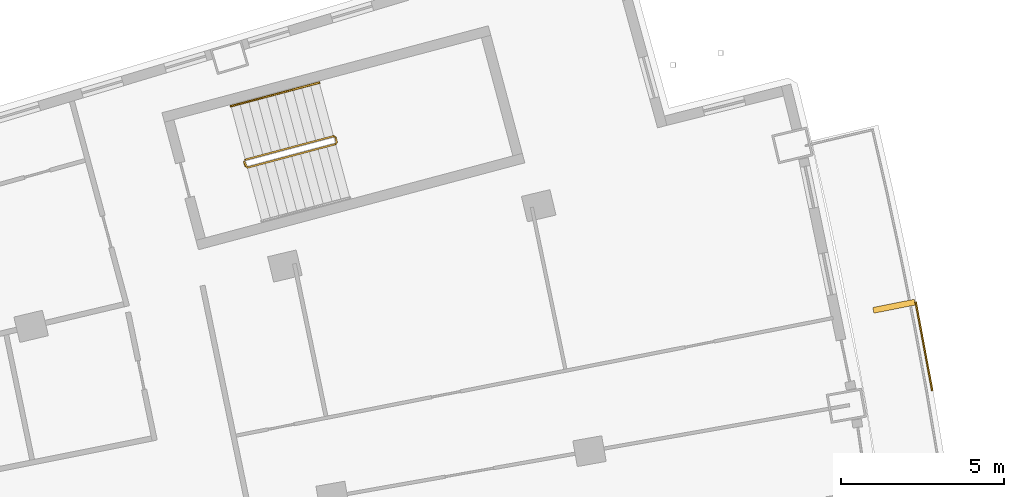
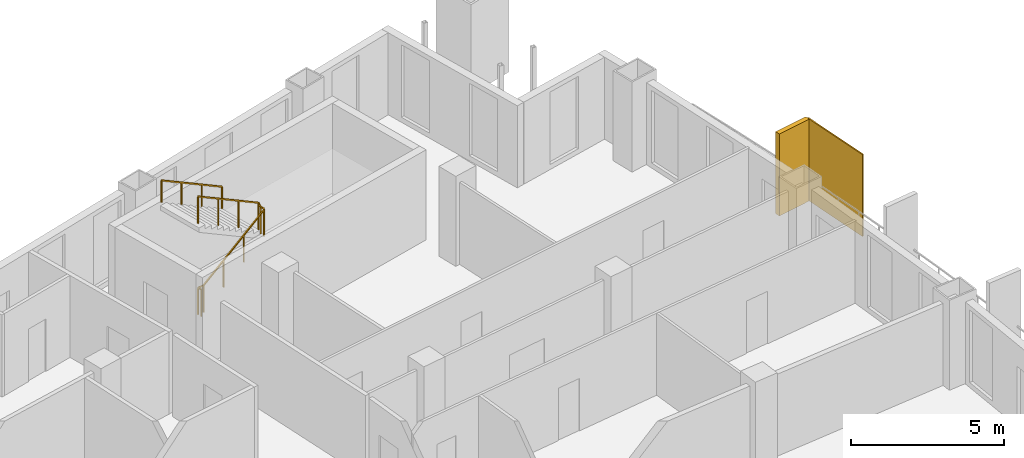
# One storey, part 20 of 20: 2 railings, 2 shading devices.
"""IFC4 building model written with IfcOpenShell, lengths in metres."""

from ifc_helpers import new_model, si_unit, direction, frame, origin, origin_2d, place, context, subcontext, project, spatial, rectangle, extrude, material, layer, layer_set, type_object, element, save


model = new_model("IFC4")

# Units and contexts
model_context = context("Model", 3, precision=1e-05, world=origin(), true_north=direction((0.0, 1.0)))
body_context = subcontext(model_context, "Body", "Model", "MODEL_VIEW")
ifc_project = project(units=[si_unit("LENGTHUNIT", "METRE"), si_unit("AREAUNIT", "SQUARE_METRE"), si_unit("VOLUMEUNIT", "CUBIC_METRE"), si_unit("PLANEANGLEUNIT", "RADIAN"), si_unit("MASSUNIT", "GRAM", prefix="KILO")], contexts=[model_context])

# Site, building, storey
site_placement = place(None, origin())
site = spatial("IfcSite", under=ifc_project, at=site_placement, CompositionType="ELEMENT")
building_placement = place(site_placement, origin())
building = spatial("IfcBuilding", under=site, at=building_placement, Name="Alderwake Tower", CompositionType="ELEMENT")
storey_placement = place(building_placement, frame((0.0, 0.0, 153.199951171875)))
storey = spatial("IfcBuildingStorey", under=building, at=storey_placement, Name="L37", CompositionType="ELEMENT", Elevation=153.199951171875)

# Shading devices
ifc_material_1 = material(Name="Bronze anodised aluminium", Category="aluminium")
ifc_layer_1 = layer(ifc_material_1, 0.179931640625)
ifc_layer_set_1 = layer_set([ifc_layer_1], Name="Facade fin 1300")
shading_device_type_1 = type_object("IfcShadingDeviceType", Name="Facade fin 1300", PredefinedType="USERDEFINED", material=ifc_layer_set_1)
shading_device_1_placement = place(storey_placement, frame((59.12890625, 88.392578125, 0.0), z_axis=(0.0, 0.0, 1.0), x_axis=(0.981163751315, 0.193177879441, 0.0)))
element("IfcShadingDevice", 1, at=shading_device_1_placement, inside=storey, type_object=shading_device_type_1, Name="Fin", ObjectType="FIN", PredefinedType="USERDEFINED", context=body_context, shape_type="SweptSolid", body=[
    extrude(rectangle(XDim=1.300048828125, YDim=0.179931640625, at=origin_2d()), origin(), (0.0, 0.0, 1.0), 3.280029296875),
])
ifc_material_2 = material(Name="Perforated bronze anodised aluminium", Category="aluminium")
ifc_layer_2 = layer(ifc_material_2, 0.050048828125)
ifc_layer_set_2 = layer_set([ifc_layer_2], Name="Perforated screen panel")
shading_device_type_2 = type_object("IfcShadingDeviceType", Name="Perforated screen panel", PredefinedType="USERDEFINED", material=ifc_layer_set_2)
shading_device_2_placement = place(storey_placement, frame((60.045166015625, 87.16455078125, 0.0), z_axis=(0.0, 0.0, 1.0), x_axis=(0.982991488043, 0.183651121519, 0.0)))
element("IfcShadingDevice", 2, at=shading_device_2_placement, inside=storey, type_object=shading_device_type_2, Name="Screen panel", ObjectType="SCREEN", PredefinedType="USERDEFINED", context=body_context, shape_type="SweptSolid", body=[
    extrude(rectangle(XDim=0.050048828125, YDim=2.763916015625, at=origin_2d()), origin(), (0.0, 0.0, 1.0), 3.280029296875),
])

# Railings
ifc_material_3 = material(Name="Stainless steel guard", Category="steel")
railing_type_1 = type_object("IfcRailingType", Name="Stair guard 1100", PredefinedType="GUARDRAIL", material=ifc_material_3)
railing_1_placement = place(storey_placement, frame((39.23291015625, 92.6806640625, 0.0)))
element("IfcRailing", 3, at=railing_1_placement, inside=storey, type_object=railing_type_1, Name="L37 ST-A stair guard 1", PredefinedType="GUARDRAIL", context=body_context, shape_type="SweptSolid", body=[
    extrude(rectangle(XDim=0.048095703125, YDim=0.048095703125, at=origin_2d()), frame((0.0, 0.0, 1.076171875), z_axis=(-0.257055032184, 0.966396766566, 0.0), x_axis=(-0.966396766566, -0.257055032184, 0.0)), (0.0, 0.0, 1.0), 0.150146484375),
    extrude(rectangle(XDim=0.048095703125, YDim=0.048095703125, at=origin_2d()), frame((-0.03857421875, 0.14501953125, 1.076171875), z_axis=(0.379370725808, -0.685464465458, 0.621463047167), x_axis=(0.874937996095, 0.484234966715, 0.0)), (0.0, 0.0, 1.0), 0.26318359375),
    extrude(rectangle(XDim=0.048095703125, YDim=0.048095703125, at=origin_2d()), frame((0.061279296875, -0.035400390625, 1.23974609375), z_axis=(0.834258940753, 0.22222815314, 0.504605457487), x_axis=(-0.257402139082, 0.966304371715, 0.0)), (0.0, 0.0, 1.0), 3.2431640625),
    extrude(rectangle(XDim=0.048095703125, YDim=0.048095703125, at=origin_2d()), frame((2.766845703125, 0.685302734375, 2.8759765625), z_axis=(0.500220121494, 0.865898279276, 0.0), x_axis=(-0.865898279276, 0.500220121494, 0.0)), (0.0, 0.0, 1.0), 0.07080078125),
    extrude(rectangle(XDim=0.048095703125, YDim=0.048095703125, at=origin_2d()), frame((2.80224609375, 0.74658203125, 2.8759765625), z_axis=(-0.257459803502, 0.966289009345, 0.0), x_axis=(-0.966289009345, -0.257459803502, 0.0)), (0.0, 0.0, 1.0), 0.14990234375),
    extrude(rectangle(XDim=0.048095703125, YDim=0.048095703125, at=origin_2d()), frame((2.763671875, 0.891357421875, 2.8759765625), z_axis=(-0.34252489212, 0.200034536998, 0.917966710881), x_axis=(-0.504300490226, -0.863528236688, 0.0)), (0.0, 0.0, 1.0), 0.17822265625),
    extrude(rectangle(XDim=0.048095703125, YDim=0.048095703125, at=origin_2d()), frame((2.70263671875, 0.927001953125, 3.03955078125), z_axis=(-0.834281824786, -0.222214197128, 0.504573768072), x_axis=(0.257380452725, -0.966310148221, 0.0)), (0.0, 0.0, 1.0), 3.2431640625),
    extrude(rectangle(XDim=0.0419921875, YDim=0.0419921875, at=origin_2d()), frame((0.0, 0.0, 0.0), z_axis=(0.0, 0.0, 1.0), x_axis=(-0.257055032184, 0.966396766566, 0.0)), (0.0, 0.0, 1.0), 1.052001953125),
    extrude(rectangle(XDim=0.0419921875, YDim=0.0419921875, at=origin_2d()), frame((-0.03857421875, 0.14501953125, 0.0), z_axis=(0.0, 0.0, 1.0), x_axis=(0.484234966715, -0.874937996095, 0.0)), (0.0, 0.0, 1.0), 1.052001953125),
    extrude(rectangle(XDim=0.0419921875, YDim=0.0419921875, at=origin_2d()), frame((0.061279296875, -0.035400390625, 0.16357421875), z_axis=(0.0, 0.0, 1.0), x_axis=(0.966304371715, 0.257402139082, 0.0)), (0.0, 0.0, 1.0), 1.052001953125),
    extrude(rectangle(XDim=0.0419921875, YDim=0.0419921875, at=origin_2d()), frame((0.963134765625, 0.204833984375, 0.708984375), z_axis=(0.0, 0.0, 1.0), x_axis=(0.966304371715, 0.257402139082, 0.0)), (0.0, 0.0, 1.0), 1.052001953125),
    extrude(rectangle(XDim=0.0419921875, YDim=0.0419921875, at=origin_2d()), frame((1.864990234375, 0.445068359375, 1.254638671875), z_axis=(0.0, 0.0, 1.0), x_axis=(0.966304371715, 0.257402139082, 0.0)), (0.0, 0.0, 1.0), 1.052001953125),
    extrude(rectangle(XDim=0.0419921875, YDim=0.0419921875, at=origin_2d()), frame((2.766845703125, 0.685302734375, 1.800048828125), z_axis=(0.0, 0.0, 1.0), x_axis=(0.500220121494, 0.865898279276, 0.0)), (0.0, 0.0, 1.0), 1.052001953125),
    extrude(rectangle(XDim=0.0419921875, YDim=0.0419921875, at=origin_2d()), frame((2.80224609375, 0.74658203125, 1.800048828125), z_axis=(0.0, 0.0, 1.0), x_axis=(-0.257459803502, 0.966289009345, 0.0)), (0.0, 0.0, 1.0), 1.052001953125),
    extrude(rectangle(XDim=0.0419921875, YDim=0.0419921875, at=origin_2d()), frame((2.763671875, 0.891357421875, 1.800048828125), z_axis=(0.0, 0.0, 1.0), x_axis=(-0.863528236688, 0.504300490226, 0.0)), (0.0, 0.0, 1.0), 1.052001953125),
    extrude(rectangle(XDim=0.0419921875, YDim=0.0419921875, at=origin_2d()), frame((2.70263671875, 0.927001953125, 1.963623046875), z_axis=(0.0, 0.0, 1.0), x_axis=(-0.966310148221, -0.257380452725, 0.0)), (0.0, 0.0, 1.0), 1.052001953125),
    extrude(rectangle(XDim=0.0419921875, YDim=0.0419921875, at=origin_2d()), frame((1.80078125, 0.686767578125, 2.509033203125), z_axis=(0.0, 0.0, 1.0), x_axis=(-0.966310148221, -0.257380452725, 0.0)), (0.0, 0.0, 1.0), 1.052001953125),
    extrude(rectangle(XDim=0.0419921875, YDim=0.0419921875, at=origin_2d()), frame((0.898681640625, 0.446533203125, 3.0546875), z_axis=(0.0, 0.0, 1.0), x_axis=(-0.966310148221, -0.257380452725, 0.0)), (0.0, 0.0, 1.0), 1.052001953125),
    extrude(rectangle(XDim=0.0419921875, YDim=0.0419921875, at=origin_2d()), frame((-0.003173828125, 0.206298828125, 3.60009765625), z_axis=(0.0, 0.0, 1.0), x_axis=(-0.966310148221, -0.257380452725, 0.0)), (0.0, 0.0, 1.0), 1.052001953125),
])
ifc_material_4 = material(Name="Stainless steel handrail", Category="steel")
railing_type_2 = type_object("IfcRailingType", Name="Stair handrail 900", PredefinedType="HANDRAIL", material=ifc_material_4)
railing_2_placement = place(storey_placement, frame((41.497802734375, 95.250244140625, 1.963623046875)))
element("IfcRailing", 4, at=railing_2_placement, inside=storey, type_object=railing_type_2, Name="L37 ST-A stair handrail 2", PredefinedType="HANDRAIL", context=body_context, shape_type="SweptSolid", body=[
    extrude(rectangle(XDim=0.048095703125, YDim=0.048095703125, at=origin_2d()), frame((0.0, 0.0, 0.8759765625), z_axis=(-0.834258940753, -0.22222815314, 0.504605457487), x_axis=(0.257402139082, -0.966304371715, 0.0)), (0.0, 0.0, 1.0), 3.2431640625),
    extrude(rectangle(XDim=0.0419921875, YDim=0.0419921875, at=origin_2d()), frame((0.0, 0.0, 0.0), z_axis=(0.0, 0.0, 1.0), x_axis=(-0.966304371715, -0.257402139082, 0.0)), (0.0, 0.0, 1.0), 0.851806640625),
    extrude(rectangle(XDim=0.0419921875, YDim=0.0419921875, at=origin_2d()), frame((-0.90185546875, -0.240234375, 0.54541015625), z_axis=(0.0, 0.0, 1.0), x_axis=(-0.966304371715, -0.257402139082, 0.0)), (0.0, 0.0, 1.0), 0.851806640625),
    extrude(rectangle(XDim=0.0419921875, YDim=0.0419921875, at=origin_2d()), frame((-1.8037109375, -0.48046875, 1.091064453125), z_axis=(0.0, 0.0, 1.0), x_axis=(-0.966304371715, -0.257402139082, 0.0)), (0.0, 0.0, 1.0), 0.851806640625),
    extrude(rectangle(XDim=0.0419921875, YDim=0.0419921875, at=origin_2d()), frame((-2.70556640625, -0.720703125, 1.636474609375), z_axis=(0.0, 0.0, 1.0), x_axis=(-0.966304371715, -0.257402139082, 0.0)), (0.0, 0.0, 1.0), 0.851806640625),
])

save(model, "model.ifc")
